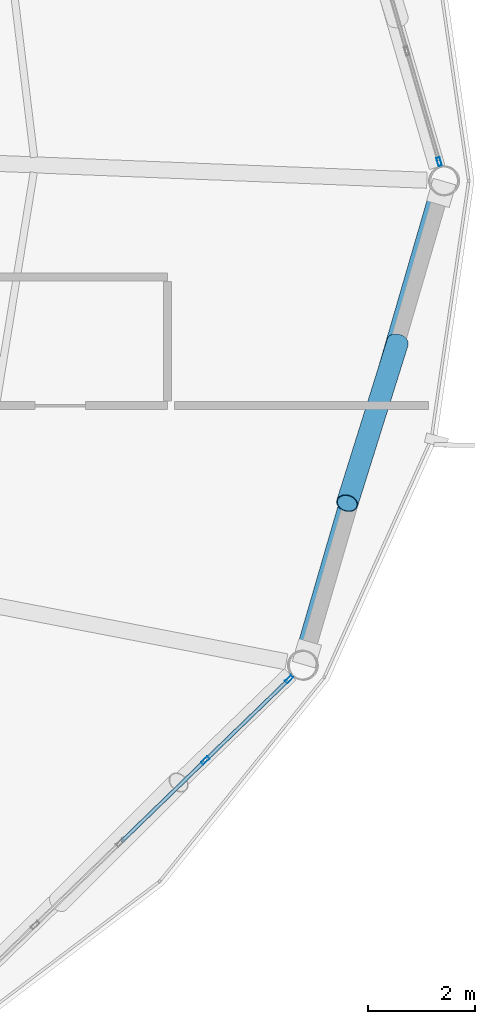
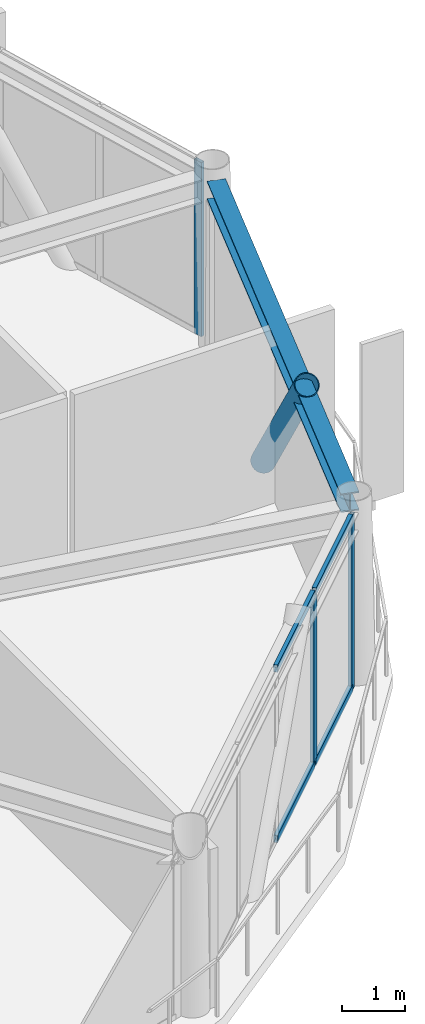
# One storey, part 16 of 27: 8 members, 1 beam, 2 elements without a shape of their own.
"""IFC4 building model written with IfcOpenShell, lengths in metres."""

from ifc_helpers import new_model, si_unit, direction, frame, origin, origin_2d, place, context, subcontext, project, spatial, hollow_rectangle, hollow_circle, i_section, extrude, material, layer, layer_set, material_profile, profile_set, type_object, element, aggregate, save


model = new_model("IFC4")

# Units and contexts
model_context = context("Model", 3, precision=1e-05, world=origin(), true_north=direction((0.0, 1.0)))
body_context = subcontext(model_context, "Body", "Model", "MODEL_VIEW")
ifc_project = project(units=[si_unit("LENGTHUNIT", "METRE"), si_unit("AREAUNIT", "SQUARE_METRE"), si_unit("VOLUMEUNIT", "CUBIC_METRE"), si_unit("PLANEANGLEUNIT", "RADIAN"), si_unit("MASSUNIT", "GRAM", prefix="KILO")], contexts=[model_context])

# Site, building, storey
site_placement = place(None, origin())
site = spatial("IfcSite", under=ifc_project, at=site_placement, CompositionType="ELEMENT")
building_placement = place(site_placement, origin())
building = spatial("IfcBuilding", under=site, at=building_placement, Name="Varnakorn Sky Granary", CompositionType="ELEMENT")
storey_placement = place(building_placement, frame((0.0, 0.0, 229.199951171875)))
storey = spatial("IfcBuildingStorey", under=building, at=storey_placement, Name="L58", CompositionType="ELEMENT", Elevation=229.199951171875)

# Beam
ifc_material_1 = material(Name="Steel S355JR", Category="steel")
ifc_material_profile_1 = material_profile(ifc_material_1, i_section(OverallWidth=0.300048828125, OverallDepth=0.360107421875, WebThickness=0.012451171875, FlangeThickness=0.0224609375, at=origin_2d()), Name="HE 360 B")
ifc_profile_set_1 = profile_set([ifc_material_profile_1], Name="Steel S355JR")
beam_type = type_object("IfcBeamType", Name="BM-SPD-Z5", PredefinedType="SPANDREL", material=ifc_profile_set_1)
beam_placement = place(storey_placement, frame((21.058837890625, -8.782470703125, 3.179931640625), z_axis=(0.279549304116, 0.960131338187, 0.0), x_axis=(-0.960131338187, 0.279549304116, 0.0)))
element("IfcBeam", 1, at=beam_placement, inside=storey, type_object=beam_type, Name="Perimeter Spandrel Ring Beam RB12 L58", PredefinedType="SPANDREL", context=body_context, shape_type="SweptSolid", body=[
    extrude(i_section(OverallWidth=0.300048828125, OverallDepth=0.360107421875, WebThickness=0.012451171875, FlangeThickness=0.0224609375, at=origin_2d()), origin(), (0.0, 0.0, 1.0), 8.8828125),
])

# Curtain wall, member
ifc_material_2 = material(Name="Anodised Bronze Aluminium Alloy 6063-T6", Category="aluminium")
ifc_layer = layer(ifc_material_2, 0.169921875, Name="Anodised Bronze Aluminium Alloy 6063-T6")
ifc_layer_set = layer_set([ifc_layer], Name="Anodised Bronze Aluminium Alloy 6063-T6")
curtain_wall_type = type_object("IfcCurtainWallType", Name="CW-LAB-1", PredefinedType="USERDEFINED", material=ifc_layer_set)
curtain_wall_1_placement = place(storey_placement, origin())
curtain_wall_1 = element("IfcCurtainWall", 2, at=curtain_wall_1_placement, inside=storey, type_object=curtain_wall_type, Name="Unitised Curtain Wall CW5 CW-L58-B01", ObjectType="CURTAIN WALL", PredefinedType="USERDEFINED")
ifc_material_profile_2 = material_profile(ifc_material_2, hollow_rectangle(XDim=0.06494140625, YDim=0.159912109375, WallThickness=0.00341796875, at=origin_2d()), Name="ALU MULL 65x160")
ifc_profile_set_2 = profile_set([ifc_material_profile_2], Name="Anodised Bronze Aluminium Alloy 6063-T6")
member_type_1 = type_object("IfcMemberType", Name="CW-LAB-1-MULL", PredefinedType="MULLION", material=ifc_profile_set_2)
member_1_placement = place(storey_placement, frame((23.579833984375, 0.357177734375, 0.0), z_axis=(0.0, 0.0, 1.0), x_axis=(0.96000908574, 0.27996884701, 0.0)))
member_1 = element("IfcMember", 3, at=member_1_placement, type_object=member_type_1, Name="CW5 mullion 5", PredefinedType="MULLION", context=body_context, shape_type="SweptSolid", body=[
    extrude(hollow_rectangle(XDim=0.06494140625, YDim=0.159912109375, WallThickness=0.00341796875, at=origin_2d()), origin(), (0.0, 0.0, 1.0), 3.360107421875),
])
aggregate(curtain_wall_1, [member_1])

# Curtain wall, members
curtain_wall_2_placement = place(storey_placement, origin())
curtain_wall_2 = element("IfcCurtainWall", 4, at=curtain_wall_2_placement, inside=storey, type_object=curtain_wall_type, Name="Unitised Curtain Wall CW5 CW-L58-B11", ObjectType="CURTAIN WALL", PredefinedType="USERDEFINED")
member_2_placement = place(storey_placement, frame((20.776611328125, -9.312255859375, 0.0), z_axis=(0.0, 0.0, 1.0), x_axis=(0.695640153276, -0.718390407195, 0.0)))
member_2 = element("IfcMember", 5, at=member_2_placement, type_object=member_type_1, Name="CW5 mullion 1", PredefinedType="MULLION", context=body_context, shape_type="SweptSolid", body=[
    extrude(hollow_rectangle(XDim=0.06494140625, YDim=0.159912109375, WallThickness=0.00341796875, at=origin_2d()), origin(), (0.0, 0.0, 1.0), 3.360107421875),
])
member_3_placement = place(storey_placement, frame((19.210693359375, -10.82861328125, 0.0), z_axis=(0.0, 0.0, 1.0), x_axis=(0.695640153276, -0.718390407195, 0.0)))
member_3 = element("IfcMember", 6, at=member_3_placement, type_object=member_type_1, Name="CW5 mullion 2", PredefinedType="MULLION", context=body_context, shape_type="SweptSolid", body=[
    extrude(hollow_rectangle(XDim=0.06494140625, YDim=0.159912109375, WallThickness=0.00341796875, at=origin_2d()), origin(), (0.0, 0.0, 1.0), 3.360107421875),
])
ifc_material_profile_3 = material_profile(ifc_material_2, hollow_rectangle(XDim=0.070068359375, YDim=0.139892578125, WallThickness=0.00341796875, at=origin_2d()), Name="ALU TRAN 70x140")
ifc_profile_set_3 = profile_set([ifc_material_profile_3], Name="Anodised Bronze Aluminium Alloy 6063-T6")
member_type_2 = type_object("IfcMemberType", Name="CW-LAB-1-TRAN", PredefinedType="USERDEFINED", material=ifc_profile_set_3)
member_4_placement = place(storey_placement, frame((20.753173828125, -9.3349609375, 0.03515625), z_axis=(-0.718388064337, -0.695642572747, 0.0), x_axis=(0.695642572747, -0.718388064337, 0.0)))
member_4 = element("IfcMember", 7, at=member_4_placement, type_object=member_type_2, Name="CW5 transom 1.1", ObjectType="TRANSOM", PredefinedType="USERDEFINED", context=body_context, shape_type="SweptSolid", body=[
    extrude(hollow_rectangle(XDim=0.070068359375, YDim=0.139892578125, WallThickness=0.00341796875, at=origin_2d()), origin(), (0.0, 0.0, 1.0), 2.114501953125),
])
member_5_placement = place(storey_placement, frame((20.753173828125, -9.3349609375, 3.324951171875), z_axis=(-0.718388064337, -0.695642572747, 0.0), x_axis=(0.695642572747, -0.718388064337, 0.0)))
member_5 = element("IfcMember", 8, at=member_5_placement, type_object=member_type_2, Name="CW5 transom 1.2", ObjectType="TRANSOM", PredefinedType="USERDEFINED", context=body_context, shape_type="SweptSolid", body=[
    extrude(hollow_rectangle(XDim=0.070068359375, YDim=0.139892578125, WallThickness=0.00341796875, at=origin_2d()), origin(), (0.0, 0.0, 1.0), 2.114501953125),
])
member_6_placement = place(storey_placement, frame((19.1875, -10.85107421875, 0.03515625), z_axis=(-0.718385817719, -0.695644892815, 0.0), x_axis=(0.695644892815, -0.718385817719, 0.0)))
member_6 = element("IfcMember", 9, at=member_6_placement, type_object=member_type_2, Name="CW5 transom 2.1", ObjectType="TRANSOM", PredefinedType="USERDEFINED", context=body_context, shape_type="SweptSolid", body=[
    extrude(hollow_rectangle(XDim=0.070068359375, YDim=0.139892578125, WallThickness=0.00341796875, at=origin_2d()), origin(), (0.0, 0.0, 1.0), 2.147216796875),
])
member_7_placement = place(storey_placement, frame((19.1875, -10.85107421875, 3.324951171875), z_axis=(-0.718385817719, -0.695644892815, 0.0), x_axis=(0.695644892815, -0.718385817719, 0.0)))
member_7 = element("IfcMember", 10, at=member_7_placement, type_object=member_type_2, Name="CW5 transom 2.2", ObjectType="TRANSOM", PredefinedType="USERDEFINED", context=body_context, shape_type="SweptSolid", body=[
    extrude(hollow_rectangle(XDim=0.070068359375, YDim=0.139892578125, WallThickness=0.00341796875, at=origin_2d()), origin(), (0.0, 0.0, 1.0), 2.147216796875),
])
aggregate(curtain_wall_2, [member_2, member_3, member_4, member_5, member_6, member_7])

# Member
ifc_material_3 = material(Name="Steel S460M", Category="steel")
ifc_material_profile_4 = material_profile(ifc_material_3, hollow_circle(Radius=0.203125, WallThickness=0.01611328125, at=origin_2d()), Name="CHS 406.4x16")
ifc_profile_set_4 = profile_set([ifc_material_profile_4], Name="Steel S460M")
member_type_3 = type_object("IfcMemberType", Name="MB-DIAG-T4", PredefinedType="BRACE", material=ifc_profile_set_4)
member_8_placement = place(storey_placement, frame((22.803955078125, -3.017822265625, -0.1298828125), z_axis=(-0.196318513905, -0.626499740539, 0.754292460656), x_axis=(0.954246675681, -0.299020537674, 0.0)))
element("IfcMember", 11, at=member_8_placement, inside=storey, type_object=member_type_3, Name="Perimeter CHS Diagrid Brace DG12 L58", PredefinedType="BRACE", context=body_context, shape_type="SweptSolid", body=[
    extrude(hollow_circle(Radius=0.203125, WallThickness=0.01611328125, at=origin_2d()), origin(), (0.0, 0.0, 1.0), 4.799072265625),
])

save(model, "model.ifc")
